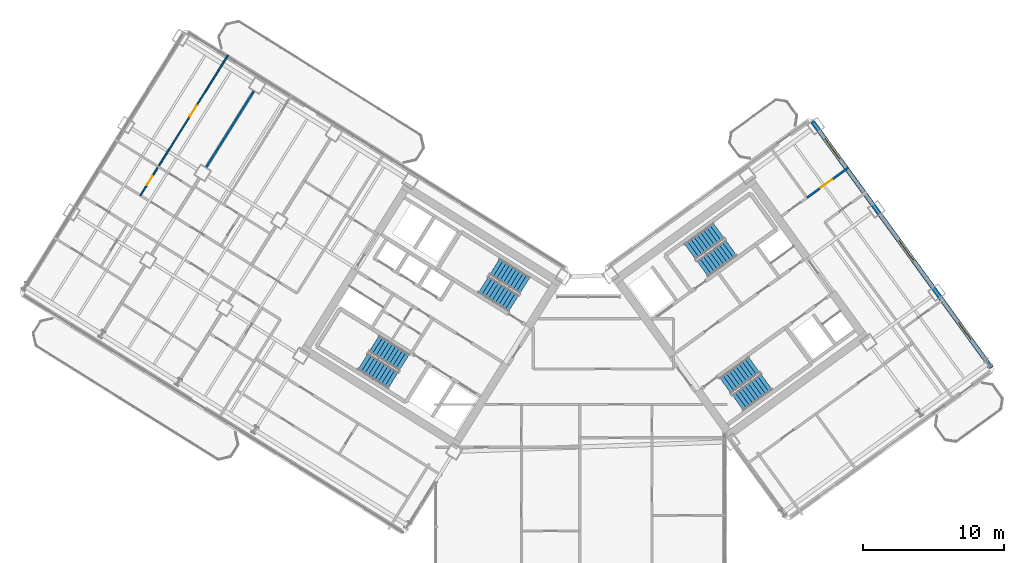
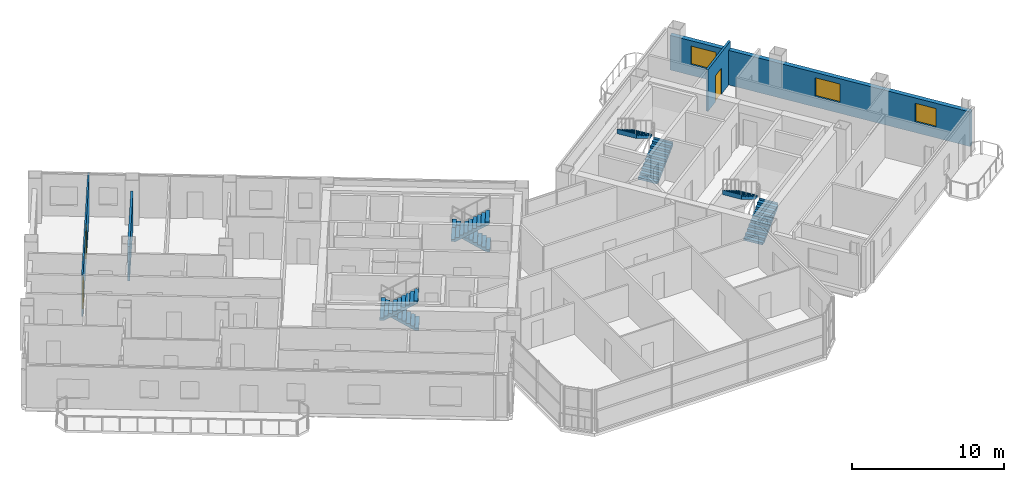
# One storey, part 21 of 29: 8 stair flights, 4 walls, 3 doors, 3 windows, 6 openings, 4 elements without a shape of their own.
"""IFC4 building model written with IfcOpenShell, lengths in metres."""

from ifc_helpers import new_model, si_unit, direction, frame, frame_2d, origin, place, context, subcontext, project, spatial, polyline, rectangle, outline, extrude, source, transform, mapped, material, layer, layer_set, type_object, element, fill, aggregate, save


model = new_model("IFC4")

# Units and contexts
model_context = context("Model", 3, precision=1e-05, world=origin(), true_north=direction((0.0, 1.0)))
body_context = subcontext(model_context, "Body", "Model", "MODEL_VIEW")
ifc_project = project(units=[si_unit("LENGTHUNIT", "METRE"), si_unit("AREAUNIT", "SQUARE_METRE"), si_unit("VOLUMEUNIT", "CUBIC_METRE"), si_unit("PLANEANGLEUNIT", "RADIAN"), si_unit("MASSUNIT", "GRAM", prefix="KILO")], contexts=[model_context])

# Site, building, storey
site_placement = place(None, origin())
site = spatial("IfcSite", under=ifc_project, at=site_placement, CompositionType="ELEMENT")
building_placement = place(site_placement, origin())
building = spatial("IfcBuilding", under=site, at=building_placement, Name="Tlacorven Tower", CompositionType="ELEMENT")
storey_placement = place(building_placement, frame((0.0, 0.0, 158.699951171875)))
storey = spatial("IfcBuildingStorey", under=building, at=storey_placement, Name="L40", CompositionType="ELEMENT", Elevation=158.699951171875)

# Wall
ifc_material_1 = material(Name="Gypsum plasterboard acoustic partition", Category="gypsum")
ifc_layer_1 = layer(ifc_material_1, 0.159912109375)
ifc_layer_set_1 = layer_set([ifc_layer_1], Name="Gypsum plasterboard acoustic partition")
wall_type_1 = type_object("IfcWallType", Name="WL-DEM-160", PredefinedType="PARTITIONING", material=ifc_layer_set_1)
wall_1_placement = place(storey_placement, frame((18.828125, 37.642578125, 0.0), z_axis=(0.0, 0.0, 1.0), x_axis=(-0.529930102756, -0.848041323399, 0.0)))
element("IfcWall", 1, at=wall_1_placement, inside=storey, type_object=wall_type_1, Name="L40 WS Demising Wall 2", PredefinedType="PARTITIONING", context=body_context, shape_type="SweptSolid", body=[
    extrude(rectangle(XDim=6.376220703125, YDim=0.159912109375, at=frame_2d((3.18798828125, 0.0))), origin(), (0.0, 0.0, 1.0), 2.775146484375),
])

# Wall, opening, door
wall_2_placement = place(storey_placement, frame((58.06689453125, 30.080078125, 0.0), z_axis=(0.0, 0.0, 1.0), x_axis=(0.809012309495, 0.587791700422, 0.0)))
wall_2 = element("IfcWall", 2, at=wall_2_placement, inside=storey, type_object=wall_type_1, Name="L40 partition 96", PredefinedType="PARTITIONING", context=body_context, shape_type="SweptSolid", body=[
    extrude(rectangle(XDim=3.6298828125, YDim=0.159912109375, at=frame_2d((1.81494140625, 0.0))), origin(), (0.0, 0.0, 1.0), 3.340087890625),
])
opening_1_placement = place(wall_2_placement, frame((1.199951171875, 0.0, 0.0)))
opening_1 = element("IfcOpeningElement", 3, at=opening_1_placement, cuts=wall_2, Name="Opening D11", PredefinedType="OPENING", context=body_context, shape_type="SweptSolid", body=[
    extrude(rectangle(XDim=1.0, YDim=2.10009765625, at=frame_2d((0.5, 1.050048828125))), frame((0.0, 0.08984375, 0.0), z_axis=(0.0, -1.0, 0.0), x_axis=(1.0, 0.0, 0.0)), (0.0, 0.0, 1.0), 0.179931640625),
])
ifc_material_2 = material(Name="Fire-rated steel door assembly", Category="steel")
door_type_1 = type_object("IfcDoorType", Name="DR-FLT-FD60-1000", OperationType="NOTDEFINED", PredefinedType="DOOR", material=ifc_material_2)
shared_shape_1 = source(origin(), body_context, "Body", "SweptSolid", [
    extrude(rectangle(XDim=1.0, YDim=2.10009765625, at=frame_2d((0.5, 1.050048828125))), frame((0.0, 0.02490234375, 0.0), z_axis=(0.0, -1.0, 0.0), x_axis=(1.0, 0.0, 0.0)), (0.0, 0.0, 1.0), 0.050048828125),
])
door_1_placement = place(opening_1_placement, origin())
door_1 = element("IfcDoor", 4, at=door_1_placement, inside=storey, type_object=door_type_1, Name="L40 door 061", OperationType="SINGLE_SWING_RIGHT", OverallHeight=2.10009765625, OverallWidth=1.0, PredefinedType="DOOR", context=body_context, shape_type="MappedRepresentation", body=[
    mapped(shared_shape_1, transform((0.0, 0.0, 0.0), scale=1.0)),
])
fill(opening_1, door_1)

# Wall, openings, windows
ifc_material_3 = material(Name="Precast concrete C45/55", Category="concrete")
ifc_layer_2 = layer(ifc_material_3, 0.320068359375)
ifc_layer_set_2 = layer_set([ifc_layer_2], Name="Precast concrete C45/55")
wall_type_2 = type_object("IfcWallType", Name="WL-EXT-320", PredefinedType="STANDARD", material=ifc_layer_set_2)
wall_3_placement = place(storey_placement, frame((58.45458984375, 35.483642578125, 0.0), z_axis=(0.0, 0.0, 1.0), x_axis=(0.587783625747, -0.809018176127, 0.0)))
wall_3 = element("IfcWall", 5, at=wall_3_placement, inside=storey, type_object=wall_type_2, Name="L40 Masonry-Frame Recessed Facade Wall 5", PredefinedType="STANDARD", context=body_context, shape_type="SweptSolid", body=[
    extrude(rectangle(XDim=21.58740234375, YDim=0.320068359375, at=frame_2d((10.793701171875, 0.0))), origin(), (0.0, 0.0, 1.0), 2.775146484375),
])
opening_2_placement = place(wall_3_placement, frame((1.503662109375, 0.0, 0.85009765625)))
opening_2 = element("IfcOpeningElement", 6, at=opening_2_placement, cuts=wall_3, Name="Opening WN01", PredefinedType="OPENING", context=body_context, shape_type="SweptSolid", body=[
    extrude(rectangle(XDim=1.800048828125, YDim=1.5, at=frame_2d((0.89990234375, 0.75))), frame((0.0, 0.169921875, 0.0), z_axis=(0.0, -1.0, 0.0), x_axis=(1.0, 0.0, 0.0)), (0.0, 0.0, 1.0), 0.340087890625),
])
opening_3_placement = place(wall_3_placement, frame((10.443603515625, 0.0, 0.85009765625)))
opening_3 = element("IfcOpeningElement", 7, at=opening_3_placement, cuts=wall_3, Name="Opening WN01", PredefinedType="OPENING", context=body_context, shape_type="SweptSolid", body=[
    extrude(rectangle(XDim=1.800048828125, YDim=1.5, at=frame_2d((0.89990234375, 0.75))), frame((0.0, 0.169921875, 0.0), z_axis=(0.0, -1.0, 0.0), x_axis=(1.0, 0.0, 0.0)), (0.0, 0.0, 1.0), 0.340087890625),
])
opening_4_placement = place(wall_3_placement, frame((17.61962890625, 0.0, 0.85009765625)))
opening_4 = element("IfcOpeningElement", 8, at=opening_4_placement, cuts=wall_3, Name="Opening WN02", PredefinedType="OPENING", context=body_context, shape_type="SweptSolid", body=[
    extrude(rectangle(XDim=1.5, YDim=1.5, at=frame_2d((0.75, 0.75))), frame((0.0, 0.169921875, 0.0), z_axis=(0.0, -1.0, 0.0), x_axis=(1.0, 0.0, 0.0)), (0.0, 0.0, 1.0), 0.340087890625),
])
ifc_material_4 = material(Name="Dark solar low-E double glazing in anodised aluminium frame", Category="aluminium")
window_type_1 = type_object("IfcWindowType", Name="WN-APT-1800X1650", PartitioningType="SINGLE_PANEL", PredefinedType="WINDOW", material=ifc_material_4)
shared_shape_2 = source(origin(), body_context, "Body", "SweptSolid", [
    extrude(rectangle(XDim=1.800048828125, YDim=1.5, at=frame_2d((0.89990234375, 0.75))), frame((0.0, 0.030029296875, 0.0), z_axis=(0.0, -1.0, 0.0), x_axis=(1.0, 0.0, 0.0)), (0.0, 0.0, 1.0), 0.06005859375),
])
window_1_placement = place(opening_2_placement, origin())
window_1 = element("IfcWindow", 9, at=window_1_placement, inside=storey, type_object=window_type_1, Name="L40 Recessed Masonry-Frame Window L40-05.1", OverallHeight=1.5, OverallWidth=1.800048828125, PartitioningType="SINGLE_PANEL", PredefinedType="WINDOW", context=body_context, shape_type="MappedRepresentation", body=[
    mapped(shared_shape_2, transform((0.0, 0.0, 0.0), scale=1.0)),
])
fill(opening_2, window_1)
window_2_placement = place(opening_3_placement, origin())
window_2 = element("IfcWindow", 10, at=window_2_placement, inside=storey, type_object=window_type_1, Name="L40 Recessed Masonry-Frame Window L40-05.2", OverallHeight=1.5, OverallWidth=1.800048828125, PartitioningType="SINGLE_PANEL", PredefinedType="WINDOW", context=body_context, shape_type="MappedRepresentation", body=[
    mapped(shared_shape_2, transform((0.0, 0.0, 0.0), scale=1.0)),
])
fill(opening_3, window_2)
window_type_2 = type_object("IfcWindowType", Name="WN-APT-1500X1650", PartitioningType="SINGLE_PANEL", PredefinedType="WINDOW", material=ifc_material_4)
shared_shape_3 = source(origin(), body_context, "Body", "SweptSolid", [
    extrude(rectangle(XDim=1.5, YDim=1.5, at=frame_2d((0.75, 0.75))), frame((0.0, 0.030029296875, 0.0), z_axis=(0.0, -1.0, 0.0), x_axis=(1.0, 0.0, 0.0)), (0.0, 0.0, 1.0), 0.06005859375),
])
window_3_placement = place(opening_4_placement, origin())
window_3 = element("IfcWindow", 11, at=window_3_placement, inside=storey, type_object=window_type_2, Name="L40 Recessed Masonry-Frame Window L40-05.3", OverallHeight=1.5, OverallWidth=1.5, PartitioningType="SINGLE_PANEL", PredefinedType="WINDOW", context=body_context, shape_type="MappedRepresentation", body=[
    mapped(shared_shape_3, transform((0.0, 0.0, 0.0), scale=1.0)),
])
fill(opening_4, window_3)

# Wall, openings, doors
ifc_material_5 = material(Name="Gypsum plasterboard partition", Category="gypsum")
ifc_layer_3 = layer(ifc_material_5, 0.110107421875)
ifc_layer_set_3 = layer_set([ifc_layer_3], Name="Gypsum plasterboard partition")
wall_type_3 = type_object("IfcWallType", Name="WL-INT-110", PredefinedType="PARTITIONING", material=ifc_layer_set_3)
wall_4_placement = place(storey_placement, frame((16.9951171875, 40.181640625, 0.0), z_axis=(0.0, 0.0, 1.0), x_axis=(-0.529927783988, -0.848042772363, 0.0)))
wall_4 = element("IfcWall", 12, at=wall_4_placement, inside=storey, type_object=wall_type_3, Name="L40 partition 65", PredefinedType="PARTITIONING", context=body_context, shape_type="SweptSolid", body=[
    extrude(rectangle(XDim=11.719970703125, YDim=0.110107421875, at=frame_2d((5.85986328125, 0.0))), origin(), (0.0, 0.0, 1.0), 3.340087890625),
])
opening_5_placement = place(wall_4_placement, frame((10.080078125, 0.0, 0.0)))
opening_5 = element("IfcOpeningElement", 13, at=opening_5_placement, cuts=wall_4, Name="Opening D22", PredefinedType="OPENING", context=body_context, shape_type="SweptSolid", body=[
    extrude(rectangle(XDim=0.780029296875, YDim=2.050048828125, at=frame_2d((0.39013671875, 1.02490234375))), frame((0.0, 0.06494140625, 0.0), z_axis=(0.0, -1.0, 0.0), x_axis=(1.0, 0.0, 0.0)), (0.0, 0.0, 1.0), 0.130126953125),
])
opening_6_placement = place(wall_4_placement, frame((4.199951171875, 0.0, 0.0)))
opening_6 = element("IfcOpeningElement", 14, at=opening_6_placement, cuts=wall_4, Name="Opening D12", PredefinedType="OPENING", context=body_context, shape_type="SweptSolid", body=[
    extrude(rectangle(XDim=0.919921875, YDim=2.080078125, at=frame_2d((0.4599609375, 1.0400390625))), frame((0.0, 0.06494140625, 0.0), z_axis=(0.0, -1.0, 0.0), x_axis=(1.0, 0.0, 0.0)), (0.0, 0.0, 1.0), 0.130126953125),
])
ifc_material_6 = material(Name="Powder-coated aluminium and timber door", Category="wood")
door_type_2 = type_object("IfcDoorType", Name="DR-INT-WET-0780", OperationType="NOTDEFINED", PredefinedType="DOOR", material=ifc_material_6)
shared_shape_4 = source(origin(), body_context, "Body", "SweptSolid", [
    extrude(rectangle(XDim=0.780029296875, YDim=2.050048828125, at=frame_2d((0.39013671875, 1.02490234375))), frame((0.0, 0.02490234375, 0.0), z_axis=(0.0, -1.0, 0.0), x_axis=(1.0, 0.0, 0.0)), (0.0, 0.0, 1.0), 0.050048828125),
])
door_2_placement = place(opening_5_placement, origin())
door_2 = element("IfcDoor", 15, at=door_2_placement, inside=storey, type_object=door_type_2, Name="L40 door 041", OperationType="SINGLE_SWING_RIGHT", OverallHeight=2.050048828125, OverallWidth=0.780029296875, PredefinedType="DOOR", context=body_context, shape_type="MappedRepresentation", body=[
    mapped(shared_shape_4, transform((0.0, 0.0, 0.0), scale=1.0)),
])
fill(opening_5, door_2)
door_type_3 = type_object("IfcDoorType", Name="DR-INT-ROOM-0920", OperationType="NOTDEFINED", PredefinedType="DOOR", material=ifc_material_6)
shared_shape_5 = source(origin(), body_context, "Body", "SweptSolid", [
    extrude(rectangle(XDim=0.919921875, YDim=2.080078125, at=frame_2d((0.4599609375, 1.0400390625))), frame((0.0, 0.02490234375, 0.0), z_axis=(0.0, -1.0, 0.0), x_axis=(1.0, 0.0, 0.0)), (0.0, 0.0, 1.0), 0.050048828125),
])
door_3_placement = place(opening_6_placement, origin())
door_3 = element("IfcDoor", 16, at=door_3_placement, inside=storey, type_object=door_type_3, Name="L40 door 042", OperationType="SINGLE_SWING_LEFT", OverallHeight=2.080078125, OverallWidth=0.919921875, PredefinedType="DOOR", context=body_context, shape_type="MappedRepresentation", body=[
    mapped(shared_shape_5, transform((0.0, 0.0, 0.0), scale=1.0)),
])
fill(opening_6, door_3)

# Stair, stair flights
ifc_material_7 = material(Name="Concrete C40/50", Category="concrete")
stair_type = type_object("IfcStairType", Name="ST-CORE-DLG", PredefinedType="HALF_TURN_STAIR", material=ifc_material_7)
stair_1_placement = place(storey_placement, origin())
stair_1 = element("IfcStair", 17, at=stair_1_placement, inside=storey, type_object=stair_type, Name="L40 Protected Exit Stair West 1", PredefinedType="HALF_TURN_STAIR")
stair_flight_type = type_object("IfcStairFlightType", Name="SFL-RC-1380", PredefinedType="STRAIGHT", material=ifc_material_7)
shared_shape_6 = source(origin(), body_context, "Body", "SweptSolid", [
    extrude(outline(polyline([(-0.0029296875, -0.0029296875), (-0.0029296875, 0.179931640625), (0.280029296875, 0.179931640625), (0.280029296875, 0.360107421875), (0.56005859375, 0.360107421875), (0.56005859375, 0.5400390625), (0.840087890625, 0.5400390625), (0.840087890625, 0.719970703125), (1.1201171875, 0.719970703125), (1.1201171875, 0.89990234375), (1.39990234375, 0.89990234375), (1.39990234375, 1.080078125), (1.679931640625, 1.080078125), (1.679931640625, 1.260009765625), (1.9599609375, 1.260009765625), (1.9599609375, 1.43994140625), (2.239990234375, 1.43994140625), (2.239990234375, 1.6201171875), (2.52001953125, 1.6201171875), (2.52001953125, 1.800048828125), (2.52294921875, 1.800048828125), (2.52294921875, 1.429931640625), (2.52001953125, 1.429931640625), (0.295654296875, 0.0), (0.295654296875, -0.0029296875), (-0.0029296875, -0.0029296875)])), frame((0.0, 0.68994140625, 0.0), z_axis=(0.0, -1.0, 0.0), x_axis=(1.0, 0.0, 0.0)), (0.0, 0.0, 1.0), 1.3798828125),
])
stair_flight_1_placement = place(storey_placement, frame((29.499755859375, 18.39453125, 0.0), z_axis=(0.0, 0.0, 1.0), x_axis=(-0.848048096156, 0.529919264233, 0.0)))
stair_flight_1 = element("IfcStairFlight", 18, at=stair_flight_1_placement, type_object=stair_flight_type, Name="ST-W1 flight 1", NumberOfRisers=10, NumberOfTreads=9, PredefinedType="STRAIGHT", RiserHeight=0.18, TreadLength=0.28, context=body_context, shape_type="MappedRepresentation", body=[
    mapped(shared_shape_6, transform((0.0, 0.0, 0.0), scale=1.0)),
])
stair_flight_2_placement = place(storey_placement, frame((26.56787109375, 18.4580078125, 1.800048828125), z_axis=(0.0, 0.0, 1.0), x_axis=(0.848048096156, -0.529919264233, 0.0)))
stair_flight_2 = element("IfcStairFlight", 19, at=stair_flight_2_placement, type_object=stair_flight_type, Name="ST-W1 flight 2", NumberOfRisers=10, NumberOfTreads=9, PredefinedType="STRAIGHT", RiserHeight=0.18, TreadLength=0.28, context=body_context, shape_type="MappedRepresentation", body=[
    mapped(shared_shape_6, transform((0.0, 0.0, 0.0), scale=1.0)),
])
aggregate(stair_1, [stair_flight_1, stair_flight_2])

stair_2_placement = place(storey_placement, origin())
stair_2 = element("IfcStair", 20, at=stair_2_placement, inside=storey, type_object=stair_type, Name="L40 Protected Exit Stair West 2", PredefinedType="HALF_TURN_STAIR")
stair_flight_3_placement = place(storey_placement, frame((38.051513671875, 23.852294921875, 0.0), z_axis=(0.0, 0.0, 1.0), x_axis=(-0.848048096156, 0.529919264233, 0.0)))
stair_flight_3 = element("IfcStairFlight", 21, at=stair_flight_3_placement, type_object=stair_flight_type, Name="ST-W2 flight 1", NumberOfRisers=10, NumberOfTreads=9, PredefinedType="STRAIGHT", RiserHeight=0.18, TreadLength=0.28, context=body_context, shape_type="MappedRepresentation", body=[
    mapped(shared_shape_6, transform((0.0, 0.0, 0.0), scale=1.0)),
])
stair_flight_4_placement = place(storey_placement, frame((35.119384765625, 23.91552734375, 1.800048828125), z_axis=(0.0, 0.0, 1.0), x_axis=(0.848048096156, -0.529919264233, 0.0)))
stair_flight_4 = element("IfcStairFlight", 22, at=stair_flight_4_placement, type_object=stair_flight_type, Name="ST-W2 flight 2", NumberOfRisers=10, NumberOfTreads=9, PredefinedType="STRAIGHT", RiserHeight=0.18, TreadLength=0.28, context=body_context, shape_type="MappedRepresentation", body=[
    mapped(shared_shape_6, transform((0.0, 0.0, 0.0), scale=1.0)),
])
aggregate(stair_2, [stair_flight_3, stair_flight_4])

stair_3_placement = place(storey_placement, origin())
stair_3 = element("IfcStair", 23, at=stair_3_placement, inside=storey, type_object=stair_type, Name="L40 Protected Exit Stair East 1", PredefinedType="HALF_TURN_STAIR")
stair_flight_5_placement = place(storey_placement, frame((50.6533203125, 25.0400390625, 0.0), z_axis=(0.0, 0.0, 1.0), x_axis=(0.809016994375, 0.587785252292, 0.0)))
stair_flight_5 = element("IfcStairFlight", 24, at=stair_flight_5_placement, type_object=stair_flight_type, Name="ST-E1 flight 1", NumberOfRisers=10, NumberOfTreads=9, PredefinedType="STRAIGHT", RiserHeight=0.18, TreadLength=0.28, context=body_context, shape_type="MappedRepresentation", body=[
    mapped(shared_shape_6, transform((0.0, 0.0, 0.0), scale=1.0)),
])
stair_flight_6_placement = place(storey_placement, frame((51.810546875, 27.734619140625, 1.800048828125), z_axis=(0.0, 0.0, 1.0), x_axis=(-0.809016994375, -0.587785252292, 0.0)))
stair_flight_6 = element("IfcStairFlight", 25, at=stair_flight_6_placement, type_object=stair_flight_type, Name="ST-E1 flight 2", NumberOfRisers=10, NumberOfTreads=9, PredefinedType="STRAIGHT", RiserHeight=0.18, TreadLength=0.28, context=body_context, shape_type="MappedRepresentation", body=[
    mapped(shared_shape_6, transform((0.0, 0.0, 0.0), scale=1.0)),
])
aggregate(stair_3, [stair_flight_5, stair_flight_6])

stair_4_placement = place(storey_placement, origin())
stair_4 = element("IfcStair", 26, at=stair_4_placement, inside=storey, type_object=stair_type, Name="L40 Protected Exit Stair East 2", PredefinedType="HALF_TURN_STAIR")
stair_flight_7_placement = place(storey_placement, frame((53.157470703125, 15.536865234375, 0.0), z_axis=(0.0, 0.0, 1.0), x_axis=(0.809016994375, 0.587785252292, 0.0)))
stair_flight_7 = element("IfcStairFlight", 27, at=stair_flight_7_placement, type_object=stair_flight_type, Name="ST-E2 flight 1", NumberOfRisers=10, NumberOfTreads=9, PredefinedType="STRAIGHT", RiserHeight=0.18, TreadLength=0.28, context=body_context, shape_type="MappedRepresentation", body=[
    mapped(shared_shape_6, transform((0.0, 0.0, 0.0), scale=1.0)),
])
stair_flight_8_placement = place(storey_placement, frame((54.314453125, 18.231689453125, 1.800048828125), z_axis=(0.0, 0.0, 1.0), x_axis=(-0.809016994375, -0.587785252292, 0.0)))
stair_flight_8 = element("IfcStairFlight", 28, at=stair_flight_8_placement, type_object=stair_flight_type, Name="ST-E2 flight 2", NumberOfRisers=10, NumberOfTreads=9, PredefinedType="STRAIGHT", RiserHeight=0.18, TreadLength=0.28, context=body_context, shape_type="MappedRepresentation", body=[
    mapped(shared_shape_6, transform((0.0, 0.0, 0.0), scale=1.0)),
])
aggregate(stair_4, [stair_flight_7, stair_flight_8])

save(model, "model.ifc")
